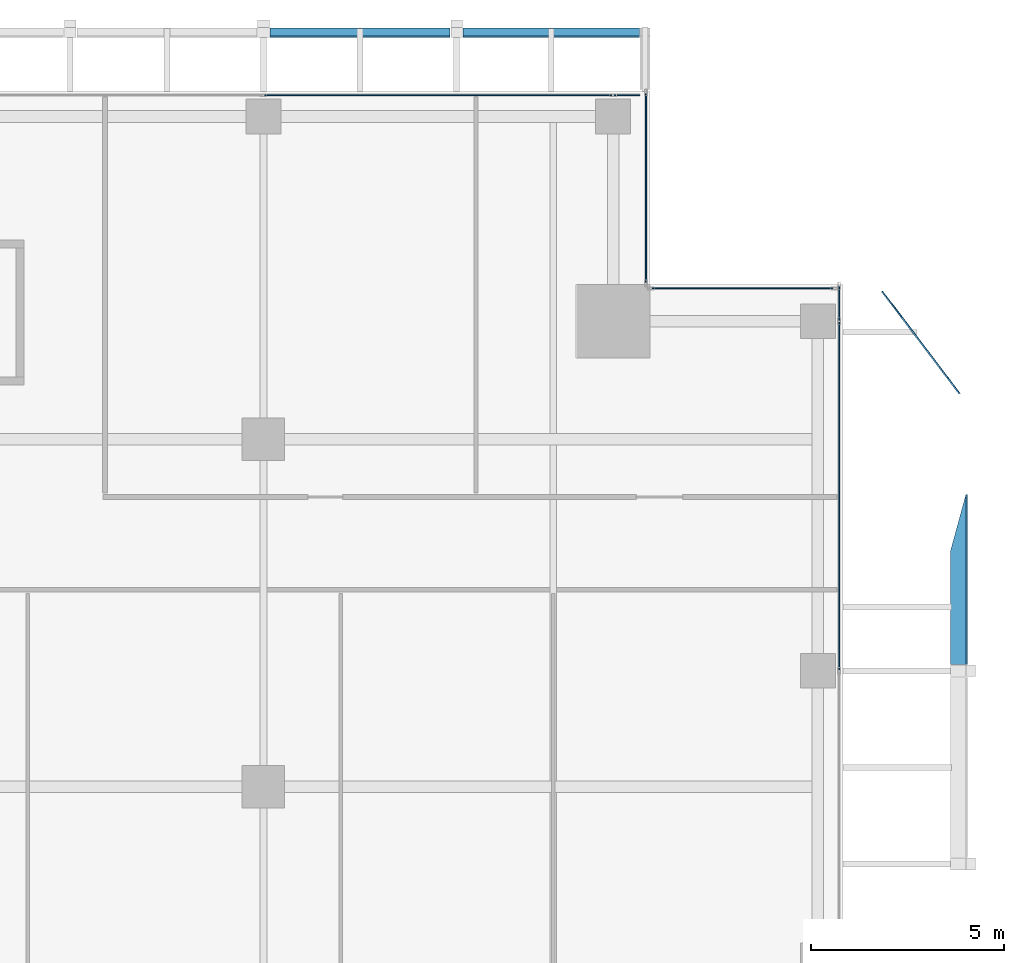
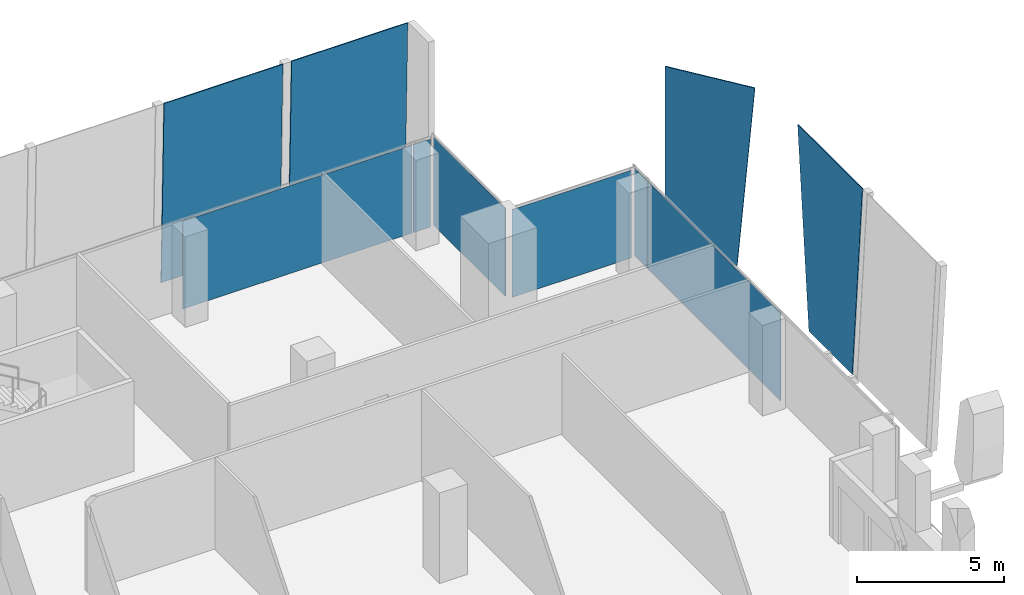
# One storey, part 27 of 35: 10 plates, 4 elements without a shape of their own.
"""IFC4 building model written with IfcOpenShell, lengths in metres."""

from ifc_helpers import new_model, si_unit, direction, frame, origin, origin_2d, place, context, subcontext, project, spatial, polyline, rectangle, outline, extrude, source, transform, mapped, material, layer, layer_set, type_object, element, aggregate, save


model = new_model("IFC4")

# Units and contexts
model_context = context("Model", 3, precision=1e-05, world=origin(), true_north=direction((0.0, 1.0)))
body_context = subcontext(model_context, "Body", "Model", "MODEL_VIEW")
ifc_project = project(units=[si_unit("LENGTHUNIT", "METRE"), si_unit("AREAUNIT", "SQUARE_METRE"), si_unit("VOLUMEUNIT", "CUBIC_METRE"), si_unit("PLANEANGLEUNIT", "RADIAN"), si_unit("MASSUNIT", "GRAM", prefix="KILO")], contexts=[model_context])

# Site, building, storey
site_placement = place(None, origin())
site = spatial("IfcSite", under=ifc_project, at=site_placement, CompositionType="ELEMENT")
building_placement = place(site_placement, origin())
building = spatial("IfcBuilding", under=site, at=building_placement, Name="Khomas Fold Tower", CompositionType="ELEMENT")
storey_placement = place(building_placement, frame((0.0, 0.0, 258.199951171875)))
storey = spatial("IfcBuildingStorey", under=building, at=storey_placement, Name="L58", CompositionType="ELEMENT", Elevation=258.199951171875)

# Plates
ifc_material_1 = material(Name="Clear laminated glass", Category="glass")
ifc_layer_1 = layer(ifc_material_1, 0.0400390625)
ifc_layer_set_1 = layer_set([ifc_layer_1], Name="Clear laminated glass")
plate_type_1 = type_object("IfcPlateType", Name="SK-Clear laminated glass leaf", PredefinedType="SHEET", material=ifc_layer_set_1)
plate_1_placement = place(storey_placement, frame((52.682373046875, 39.0712890625, 7.550048828125), z_axis=(-0.998629046243, 0.0, 0.052345276765), x_axis=(-0.051405946444, -0.188594178596, -0.980708756191)))
element("IfcPlate", 1, at=plate_1_placement, inside=storey, type_object=plate_type_1, Name="OUTER SKIN glass L58 EG103-7", PredefinedType="SHEET", context=body_context, shape_type="SweptSolid", body=[
    extrude(outline(polyline([(0.0, 0.0), (7.698563697389146, 0.0), (8.254815228544768, 2.896535098572259), (0.8300722294241824, 4.322385130126702), (0.0, 0.0)])), origin(), (0.0, 0.0, -1.0), 0.0400390625),
])
plate_2_placement = place(storey_placement, frame((52.135009765625, 42.208251953125, 0.0), z_axis=(0.797330957977, 0.603542329405, 8.213021e-06), x_axis=(0.052195016538, -0.068967631187, 0.996252551363)))
element("IfcPlate", 2, at=plate_2_placement, inside=storey, type_object=plate_type_1, Name="OUTER SKIN glass L58 EG104-8", PredefinedType="SHEET", context=body_context, shape_type="SweptSolid", body=[
    extrude(outline(polyline([(0.0, 0.0), (7.5784486757959115, 0.0), (7.291582386339434, -3.3042536401557534), (-0.2301730215943822, -2.6512353506377684), (0.0, 0.0)])), origin(), (0.0, 0.0, -1.0), 0.0400390625),
])
plate_3_placement = place(storey_placement, frame((34.669921875, 51.13671875, 0.0009765625), z_axis=(0.0, 0.99965715546, 0.026183421048), x_axis=(1.0, 0.0, 0.0)))
element("IfcPlate", 3, at=plate_3_placement, inside=storey, type_object=plate_type_1, Name="OUTER SKIN glass L58 N11", PredefinedType="SHEET", context=body_context, shape_type="SweptSolid", body=[
    extrude(outline(polyline([(0.0, 0.0), (4.66015625, 0.0), (4.66015625, -7.552638208898188), (0.0, -7.552638208898188), (0.0, 0.0)])), origin(), (0.0, 0.0, -1.0), 0.0400390625),
])
plate_4_placement = place(storey_placement, frame((39.669921875, 51.13671875, 0.0009765625), z_axis=(0.0, 0.99965715546, 0.026183421048), x_axis=(1.0, 0.0, 0.0)))
element("IfcPlate", 4, at=plate_4_placement, inside=storey, type_object=plate_type_1, Name="OUTER SKIN glass L58 N13", PredefinedType="SHEET", context=body_context, shape_type="SweptSolid", body=[
    extrude(outline(polyline([(0.0, 0.0), (4.56005859375, 0.0), (4.56005859375, -7.552638208898188), (0.0, -7.552638208898188), (0.0, 0.0)])), origin(), (0.0, 0.0, -1.0), 0.0400390625),
])

# Curtain wall, plate
ifc_material_2 = material(Name="Aluminium framed double glazing", Category="aluminium")
curtain_wall_type = type_object("IfcCurtainWallType", Name="SK-Unitised clear-glass wall, office floors CW2", PredefinedType="NOTDEFINED", material=ifc_material_2)
curtain_wall_1_placement = place(storey_placement, origin())
curtain_wall_1 = element("IfcCurtainWall", 5, at=curtain_wall_1_placement, inside=storey, type_object=curtain_wall_type, Name="CW2 run L58 06-0", PredefinedType="NOTDEFINED")
ifc_material_3 = material(Name="Clear double glazed unit")
ifc_layer_2 = layer(ifc_material_3, 0.030029296875)
ifc_layer_set_2 = layer_set([ifc_layer_2], Name="Clear double glazed unit")
plate_type_2 = type_object("IfcPlateType", Name="SK-Unitised clear-glass wall, office floors glass panel CW2-P", PredefinedType="CURTAIN_PANEL", material=ifc_layer_set_2)
shared_shape_1 = source(origin(), body_context, "Body", "SweptSolid", [
    extrude(rectangle(XDim=0.659912109375, YDim=0.030029296875, at=origin_2d()), origin(), (0.0, 0.0, 1.0), 3.639892578125),
])
plate_5_placement = place(storey_placement, frame((43.909912109375, 49.39990234375, 0.0), z_axis=(0.0, 0.0, 1.0), x_axis=(-1.0, 0.0, 0.0)))
plate_5 = element("IfcPlate", 6, at=plate_5_placement, type_object=plate_type_2, Name="CW2 glass panel 1", PredefinedType="CURTAIN_PANEL", context=body_context, shape_type="MappedRepresentation", body=[
    mapped(shared_shape_1, transform((0.0, 0.0, 0.0))),
])

# Curtain wall, plates
curtain_wall_2_placement = place(storey_placement, origin())
curtain_wall_2 = element("IfcCurtainWall", 7, at=curtain_wall_2_placement, inside=storey, type_object=curtain_wall_type, Name="CW2 run L58 03-1", PredefinedType="NOTDEFINED")
shared_shape_2 = source(origin(), body_context, "Body", "SweptSolid", [
    extrude(rectangle(XDim=0.860107421875, YDim=0.030029296875, at=origin_2d()), origin(), (0.0, 0.0, 1.0), 3.639892578125),
])
plate_6_placement = place(storey_placement, frame((49.39990234375, 44.010009765625, 0.0), z_axis=(0.0, 0.0, 1.0), x_axis=(0.0, 1.0, 0.0)))
plate_6 = element("IfcPlate", 8, at=plate_6_placement, type_object=plate_type_2, Name="CW2 glass panel 4", PredefinedType="CURTAIN_PANEL", context=body_context, shape_type="MappedRepresentation", body=[
    mapped(shared_shape_2, transform((0.0, 0.0, 0.0))),
])
shared_shape_3 = source(origin(), body_context, "Body", "SweptSolid", [
    extrude(rectangle(XDim=8.989990234375, YDim=0.030029296875, at=origin_2d()), origin(), (0.0, 0.0, 1.0), 3.639892578125),
])
plate_7_placement = place(storey_placement, frame((49.39990234375, 39.02490234375, 0.0), z_axis=(0.0, 0.0, 1.0), x_axis=(0.0, 1.0, 0.0)))
plate_7 = element("IfcPlate", 9, at=plate_7_placement, type_object=plate_type_2, Name="CW2 glass panel 3", PredefinedType="CURTAIN_PANEL", context=body_context, shape_type="MappedRepresentation", body=[
    mapped(shared_shape_3, transform((0.0, 0.0, 0.0))),
])
aggregate(curtain_wall_2, [plate_7, plate_6])

# Plate
plate_8_placement = place(storey_placement, frame((39.02490234375, 49.39990234375, 0.0), z_axis=(0.0, 0.0, 1.0), x_axis=(-1.0, 0.0, 0.0)))
plate_8 = element("IfcPlate", 10, at=plate_8_placement, type_object=plate_type_2, Name="CW2 glass panel 2", PredefinedType="CURTAIN_PANEL", context=body_context, shape_type="MappedRepresentation", body=[
    mapped(shared_shape_3, transform((0.0, 0.0, 0.0))),
])

aggregate(curtain_wall_1, [plate_5, plate_8])

# Curtain wall, plate
curtain_wall_3_placement = place(storey_placement, origin())
curtain_wall_3 = element("IfcCurtainWall", 11, at=curtain_wall_3_placement, inside=storey, type_object=curtain_wall_type, Name="CW2 corner return L58 04", PredefinedType="NOTDEFINED")
shared_shape_4 = source(origin(), body_context, "Body", "SweptSolid", [
    extrude(rectangle(XDim=4.679931640625, YDim=0.030029296875, at=origin_2d()), origin(), (0.0, 0.0, 1.0), 3.639892578125),
])
plate_9_placement = place(storey_placement, frame((46.89990234375, 44.39990234375, 0.0), z_axis=(0.0, 0.0, 1.0), x_axis=(-1.0, 0.0, 0.0)))
plate_9 = element("IfcPlate", 12, at=plate_9_placement, type_object=plate_type_2, Name="CW2 glass panel 1", PredefinedType="CURTAIN_PANEL", context=body_context, shape_type="MappedRepresentation", body=[
    mapped(shared_shape_4, transform((0.0, 0.0, 0.0))),
])
aggregate(curtain_wall_3, [plate_9])

curtain_wall_4_placement = place(storey_placement, origin())
curtain_wall_4 = element("IfcCurtainWall", 13, at=curtain_wall_4_placement, inside=storey, type_object=curtain_wall_type, Name="CW2 corner return L58 05", PredefinedType="NOTDEFINED")
shared_shape_5 = source(origin(), body_context, "Body", "SweptSolid", [
    extrude(rectangle(XDim=4.8798828125, YDim=0.030029296875, at=origin_2d()), origin(), (0.0, 0.0, 1.0), 3.639892578125),
])
plate_10_placement = place(storey_placement, frame((44.39990234375, 47.0, 0.0), z_axis=(0.0, 0.0, 1.0), x_axis=(0.0, 1.0, 0.0)))
plate_10 = element("IfcPlate", 14, at=plate_10_placement, type_object=plate_type_2, Name="CW2 glass panel 1", PredefinedType="CURTAIN_PANEL", context=body_context, shape_type="MappedRepresentation", body=[
    mapped(shared_shape_5, transform((0.0, 0.0, 0.0))),
])
aggregate(curtain_wall_4, [plate_10])

save(model, "model.ifc")
